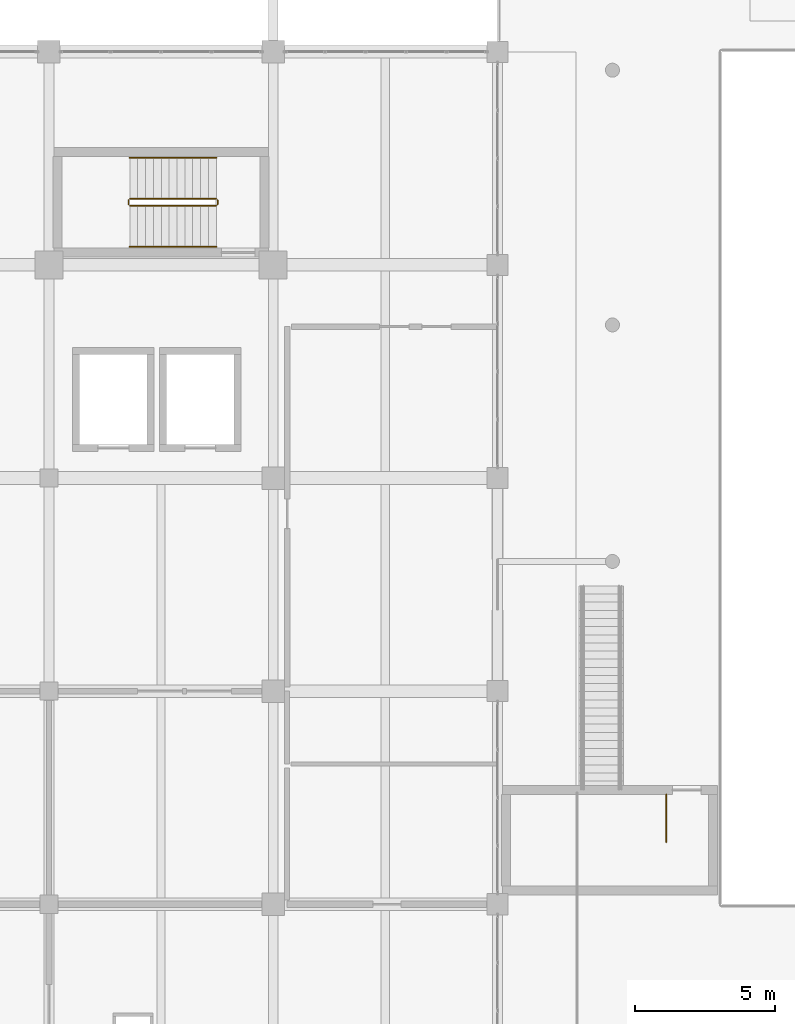
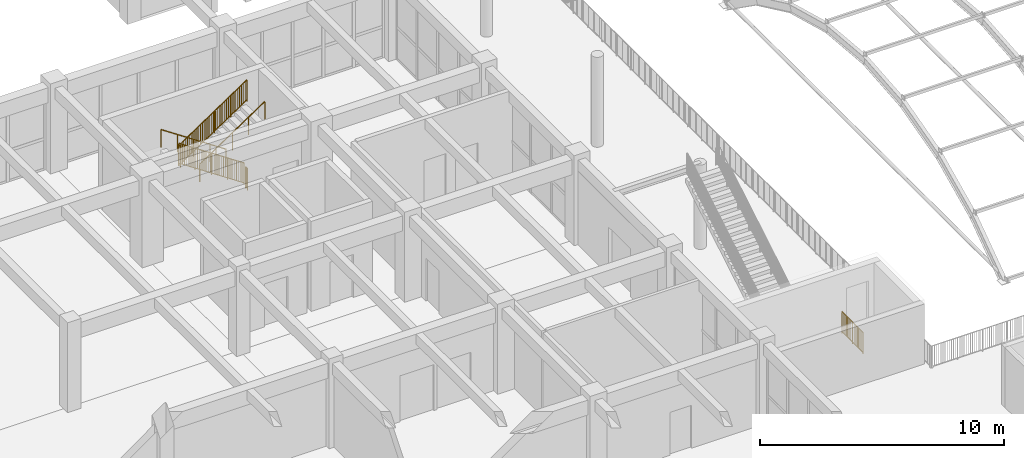
# One storey, part 73 of 79: 7 railings.
"""IFC4 building model written with IfcOpenShell, lengths in metres."""

from ifc_helpers import new_model, si_unit, direction, frame, origin, origin_2d, place, context, subcontext, project, spatial, rectangle, circle, extrude, material, type_object, element, save


model = new_model("IFC4")

# Units and contexts
model_context = context("Model", 3, precision=1e-05, world=origin(), true_north=direction((0.0, 1.0)))
body_context = subcontext(model_context, "Body", "Model", "MODEL_VIEW")
ifc_project = project(units=[si_unit("LENGTHUNIT", "METRE"), si_unit("AREAUNIT", "SQUARE_METRE"), si_unit("VOLUMEUNIT", "CUBIC_METRE"), si_unit("PLANEANGLEUNIT", "RADIAN"), si_unit("MASSUNIT", "GRAM", prefix="KILO")], contexts=[model_context])

# Site, building, storey
site_placement = place(None, origin())
site = spatial("IfcSite", under=ifc_project, at=site_placement, CompositionType="ELEMENT")
building_placement = place(site_placement, origin())
building = spatial("IfcBuilding", under=site, at=building_placement, Name="Zantavel Square City Hall", CompositionType="ELEMENT")
storey_placement = place(building_placement, frame((0.0, 0.0, 10.199951171875)))
storey = spatial("IfcBuildingStorey", under=building, at=storey_placement, Name="L03", CompositionType="ELEMENT", Elevation=10.199951171875)

# Railings
ifc_material_1 = material(Name="Steel ASTM A500 Grade B", Category="steel")
railing_type_1 = type_object("IfcRailingType", Name="Atrium & Gallery Steel Guard Railing 1100mm", PredefinedType="GUARDRAIL", material=ifc_material_1)
railing_1_placement = place(storey_placement, frame((118.02001953125, 41.919921875, 0.0)))
element("IfcRailing", 1, at=railing_1_placement, inside=storey, type_object=railing_type_1, Name="L03 ST4 top well guard 1", PredefinedType="GUARDRAIL", context=body_context, shape_type="SweptSolid", body=[
    extrude(circle(Radius=0.02392578125, at=origin_2d()), frame((0.0, 0.0, 1.076171875), z_axis=(0.0, -1.0, 0.0), x_axis=(1.0, 0.0, 0.0)), (0.0, 0.0, 1.0), 1.7099609375),
    extrude(rectangle(XDim=0.031982421875, YDim=0.031982421875, at=origin_2d()), frame((0.0, 0.0, 0.080078125), z_axis=(0.0, -1.0, 0.0), x_axis=(1.0, 0.0, 0.0)), (0.0, 0.0, 1.0), 1.7099609375),
    extrude(rectangle(XDim=0.02197265625, YDim=0.02197265625, at=origin_2d()), frame((0.0, -0.090087890625, 0.080078125)), (0.0, 0.0, 1.0), 0.971923828125),
    extrude(rectangle(XDim=0.02197265625, YDim=0.02197265625, at=origin_2d()), frame((0.0, -0.179931640625, 0.080078125)), (0.0, 0.0, 1.0), 0.971923828125),
    extrude(rectangle(XDim=0.02197265625, YDim=0.02197265625, at=origin_2d()), frame((0.0, -0.27001953125, 0.080078125)), (0.0, 0.0, 1.0), 0.971923828125),
    extrude(rectangle(XDim=0.02197265625, YDim=0.02197265625, at=origin_2d()), frame((0.0, -0.360107421875, 0.080078125)), (0.0, 0.0, 1.0), 0.971923828125),
    extrude(rectangle(XDim=0.02197265625, YDim=0.02197265625, at=origin_2d()), frame((0.0, -0.449951171875, 0.080078125)), (0.0, 0.0, 1.0), 0.971923828125),
    extrude(rectangle(XDim=0.02197265625, YDim=0.02197265625, at=origin_2d()), frame((0.0, -0.5400390625, 0.080078125)), (0.0, 0.0, 1.0), 0.971923828125),
    extrude(rectangle(XDim=0.02197265625, YDim=0.02197265625, at=origin_2d()), frame((0.0, -0.6298828125, 0.080078125)), (0.0, 0.0, 1.0), 0.971923828125),
    extrude(rectangle(XDim=0.02197265625, YDim=0.02197265625, at=origin_2d()), frame((0.0, -0.719970703125, 0.080078125)), (0.0, 0.0, 1.0), 0.971923828125),
    extrude(rectangle(XDim=0.02197265625, YDim=0.02197265625, at=origin_2d()), frame((0.0, -0.989990234375, 0.080078125)), (0.0, 0.0, 1.0), 0.971923828125),
    extrude(rectangle(XDim=0.02197265625, YDim=0.02197265625, at=origin_2d()), frame((0.0, -1.080078125, 0.080078125)), (0.0, 0.0, 1.0), 0.971923828125),
    extrude(rectangle(XDim=0.02197265625, YDim=0.02197265625, at=origin_2d()), frame((0.0, -1.169921875, 0.080078125)), (0.0, 0.0, 1.0), 0.971923828125),
    extrude(rectangle(XDim=0.02197265625, YDim=0.02197265625, at=origin_2d()), frame((0.0, -1.260009765625, 0.080078125)), (0.0, 0.0, 1.0), 0.971923828125),
    extrude(rectangle(XDim=0.02197265625, YDim=0.02197265625, at=origin_2d()), frame((0.0, -1.349853515625, 0.080078125)), (0.0, 0.0, 1.0), 0.971923828125),
    extrude(rectangle(XDim=0.02197265625, YDim=0.02197265625, at=origin_2d()), frame((0.0, -1.43994140625, 0.080078125)), (0.0, 0.0, 1.0), 0.971923828125),
    extrude(rectangle(XDim=0.02197265625, YDim=0.02197265625, at=origin_2d()), frame((0.0, -1.530029296875, 0.080078125)), (0.0, 0.0, 1.0), 0.971923828125),
    extrude(rectangle(XDim=0.02197265625, YDim=0.02197265625, at=origin_2d()), frame((0.0, -1.619873046875, 0.080078125)), (0.0, 0.0, 1.0), 0.971923828125),
    extrude(circle(Radius=0.02099609375, at=origin_2d()), origin(), (0.0, 0.0, 1.0), 1.052001953125),
    extrude(circle(Radius=0.02099609375, at=origin_2d()), frame((0.0, -0.85498046875, 0.0)), (0.0, 0.0, 1.0), 1.052001953125),
    extrude(circle(Radius=0.02099609375, at=origin_2d()), frame((0.0, -1.7099609375, 0.0)), (0.0, 0.0, 1.0), 1.052001953125),
])
railing_2_placement = place(storey_placement, frame((101.969970703125, 63.159912109375, 0.1875)))
element("IfcRailing", 2, at=railing_2_placement, inside=storey, type_object=railing_type_1, Name="L03 ST6 stair guard 1", PredefinedType="GUARDRAIL", context=body_context, shape_type="SweptSolid", body=[
    extrude(circle(Radius=0.02392578125, at=origin_2d()), frame((0.0, 0.0, 1.076171875), z_axis=(-0.830913701846, 0.0, 0.55640131208), x_axis=(0.0, -1.0, 0.0)), (0.0, 0.0, 1.0), 3.706787109375),
    extrude(rectangle(XDim=0.031982421875, YDim=0.031982421875, at=origin_2d()), frame((0.0, 0.0, 0.080078125), z_axis=(-0.830913701846, 0.0, 0.55640131208), x_axis=(0.0, -1.0, 0.0)), (0.0, 0.0, 1.0), 3.706787109375),
    extrude(rectangle(XDim=0.02197265625, YDim=0.02197265625, at=origin_2d()), frame((-0.087890625, 0.0, 0.138916015625)), (0.0, 0.0, 1.0), 0.971923828125),
    extrude(rectangle(XDim=0.02197265625, YDim=0.02197265625, at=origin_2d()), frame((-0.176025390625, 0.0, 0.19775390625)), (0.0, 0.0, 1.0), 0.971923828125),
    extrude(rectangle(XDim=0.02197265625, YDim=0.02197265625, at=origin_2d()), frame((-0.263916015625, 0.0, 0.2568359375)), (0.0, 0.0, 1.0), 0.971923828125),
    extrude(rectangle(XDim=0.02197265625, YDim=0.02197265625, at=origin_2d()), frame((-0.35205078125, 0.0, 0.315673828125)), (0.0, 0.0, 1.0), 0.971923828125),
    extrude(rectangle(XDim=0.02197265625, YDim=0.02197265625, at=origin_2d()), frame((-0.43994140625, 0.0, 0.374755859375)), (0.0, 0.0, 1.0), 0.971923828125),
    extrude(rectangle(XDim=0.02197265625, YDim=0.02197265625, at=origin_2d()), frame((-0.528076171875, 0.0, 0.43359375)), (0.0, 0.0, 1.0), 0.971923828125),
    extrude(rectangle(XDim=0.02197265625, YDim=0.02197265625, at=origin_2d()), frame((-0.615966796875, 0.0, 0.492431640625)), (0.0, 0.0, 1.0), 0.971923828125),
    extrude(rectangle(XDim=0.02197265625, YDim=0.02197265625, at=origin_2d()), frame((-0.7041015625, 0.0, 0.551513671875)), (0.0, 0.0, 1.0), 0.971923828125),
    extrude(rectangle(XDim=0.02197265625, YDim=0.02197265625, at=origin_2d()), frame((-0.880126953125, 0.0, 0.669189453125)), (0.0, 0.0, 1.0), 0.971923828125),
    extrude(rectangle(XDim=0.02197265625, YDim=0.02197265625, at=origin_2d()), frame((-0.968017578125, 0.0, 0.728271484375)), (0.0, 0.0, 1.0), 0.971923828125),
    extrude(rectangle(XDim=0.02197265625, YDim=0.02197265625, at=origin_2d()), frame((-1.055908203125, 0.0, 0.787109375)), (0.0, 0.0, 1.0), 0.971923828125),
    extrude(rectangle(XDim=0.02197265625, YDim=0.02197265625, at=origin_2d()), frame((-1.14404296875, 0.0, 0.84619140625)), (0.0, 0.0, 1.0), 0.971923828125),
    extrude(rectangle(XDim=0.02197265625, YDim=0.02197265625, at=origin_2d()), frame((-1.23193359375, 0.0, 0.905029296875)), (0.0, 0.0, 1.0), 0.971923828125),
    extrude(rectangle(XDim=0.02197265625, YDim=0.02197265625, at=origin_2d()), frame((-1.320068359375, 0.0, 0.9638671875)), (0.0, 0.0, 1.0), 0.971923828125),
    extrude(rectangle(XDim=0.02197265625, YDim=0.02197265625, at=origin_2d()), frame((-1.407958984375, 0.0, 1.02294921875)), (0.0, 0.0, 1.0), 0.971923828125),
    extrude(rectangle(XDim=0.02197265625, YDim=0.02197265625, at=origin_2d()), frame((-1.49609375, 0.0, 1.081787109375)), (0.0, 0.0, 1.0), 0.971923828125),
    extrude(rectangle(XDim=0.02197265625, YDim=0.02197265625, at=origin_2d()), frame((-1.583984375, 0.0, 1.140625)), (0.0, 0.0, 1.0), 0.971923828125),
    extrude(rectangle(XDim=0.02197265625, YDim=0.02197265625, at=origin_2d()), frame((-1.672119140625, 0.0, 1.19970703125)), (0.0, 0.0, 1.0), 0.971923828125),
    extrude(rectangle(XDim=0.02197265625, YDim=0.02197265625, at=origin_2d()), frame((-1.760009765625, 0.0, 1.258544921875)), (0.0, 0.0, 1.0), 0.971923828125),
    extrude(rectangle(XDim=0.02197265625, YDim=0.02197265625, at=origin_2d()), frame((-1.84814453125, 0.0, 1.3173828125)), (0.0, 0.0, 1.0), 0.971923828125),
    extrude(rectangle(XDim=0.02197265625, YDim=0.02197265625, at=origin_2d()), frame((-1.93603515625, 0.0, 1.37646484375)), (0.0, 0.0, 1.0), 0.971923828125),
    extrude(rectangle(XDim=0.02197265625, YDim=0.02197265625, at=origin_2d()), frame((-2.024169921875, 0.0, 1.435302734375)), (0.0, 0.0, 1.0), 0.971923828125),
    extrude(rectangle(XDim=0.02197265625, YDim=0.02197265625, at=origin_2d()), frame((-2.112060546875, 0.0, 1.494384765625)), (0.0, 0.0, 1.0), 0.971923828125),
    extrude(rectangle(XDim=0.02197265625, YDim=0.02197265625, at=origin_2d()), frame((-2.199951171875, 0.0, 1.55322265625)), (0.0, 0.0, 1.0), 0.971923828125),
    extrude(rectangle(XDim=0.02197265625, YDim=0.02197265625, at=origin_2d()), frame((-2.3759765625, 0.0, 1.671142578125)), (0.0, 0.0, 1.0), 0.971923828125),
    extrude(rectangle(XDim=0.02197265625, YDim=0.02197265625, at=origin_2d()), frame((-2.464111328125, 0.0, 1.72998046875)), (0.0, 0.0, 1.0), 0.971923828125),
    extrude(rectangle(XDim=0.02197265625, YDim=0.02197265625, at=origin_2d()), frame((-2.552001953125, 0.0, 1.788818359375)), (0.0, 0.0, 1.0), 0.971923828125),
    extrude(rectangle(XDim=0.02197265625, YDim=0.02197265625, at=origin_2d()), frame((-2.64013671875, 0.0, 1.847900390625)), (0.0, 0.0, 1.0), 0.971923828125),
    extrude(rectangle(XDim=0.02197265625, YDim=0.02197265625, at=origin_2d()), frame((-2.72802734375, 0.0, 1.90673828125)), (0.0, 0.0, 1.0), 0.971923828125),
    extrude(rectangle(XDim=0.02197265625, YDim=0.02197265625, at=origin_2d()), frame((-2.816162109375, 0.0, 1.9658203125)), (0.0, 0.0, 1.0), 0.971923828125),
    extrude(rectangle(XDim=0.02197265625, YDim=0.02197265625, at=origin_2d()), frame((-2.904052734375, 0.0, 2.024658203125)), (0.0, 0.0, 1.0), 0.971923828125),
    extrude(rectangle(XDim=0.02197265625, YDim=0.02197265625, at=origin_2d()), frame((-2.9921875, 0.0, 2.08349609375)), (0.0, 0.0, 1.0), 0.971923828125),
    extrude(circle(Radius=0.02099609375, at=origin_2d()), origin(), (0.0, 0.0, 1.0), 1.052001953125),
    extrude(circle(Radius=0.02099609375, at=origin_2d()), frame((-0.77001953125, 0.0, 0.515625)), (0.0, 0.0, 1.0), 1.052001953125),
    extrude(circle(Radius=0.02099609375, at=origin_2d()), frame((-1.5400390625, 0.0, 1.03125)), (0.0, 0.0, 1.0), 1.052001953125),
    extrude(circle(Radius=0.02099609375, at=origin_2d()), frame((-2.31005859375, 0.0, 1.546875)), (0.0, 0.0, 1.0), 1.052001953125),
    extrude(circle(Radius=0.02099609375, at=origin_2d()), frame((-3.080078125, 0.0, 2.0625)), (0.0, 0.0, 1.0), 1.052001953125),
])
railing_3_placement = place(storey_placement, frame((98.840087890625, 63.110107421875, 2.25)))
element("IfcRailing", 3, at=railing_3_placement, inside=storey, type_object=railing_type_1, Name="L03 ST6 stair guard 2", PredefinedType="GUARDRAIL", context=body_context, shape_type="SweptSolid", body=[
    extrude(circle(Radius=0.02392578125, at=origin_2d()), frame((0.0, 0.0, 1.076171875), z_axis=(0.0, -1.0, 0.0), x_axis=(1.0, 0.0, 0.0)), (0.0, 0.0, 1.0), 0.150146484375),
    extrude(rectangle(XDim=0.031982421875, YDim=0.031982421875, at=origin_2d()), frame((0.0, 0.0, 0.080078125), z_axis=(0.0, -1.0, 0.0), x_axis=(1.0, 0.0, 0.0)), (0.0, 0.0, 1.0), 0.150146484375),
    extrude(rectangle(XDim=0.02197265625, YDim=0.02197265625, at=origin_2d()), frame((0.0, -0.0751953125, 0.080078125)), (0.0, 0.0, 1.0), 0.971923828125),
    extrude(circle(Radius=0.02099609375, at=origin_2d()), origin(), (0.0, 0.0, 1.0), 1.052001953125),
    extrude(circle(Radius=0.02099609375, at=origin_2d()), frame((0.0, -0.150146484375, 0.0)), (0.0, 0.0, 1.0), 1.052001953125),
])
railing_4_placement = place(storey_placement, frame((98.889892578125, 62.909912109375, 2.4375)))
element("IfcRailing", 4, at=railing_4_placement, inside=storey, type_object=railing_type_1, Name="L03 ST6 stair guard 3", PredefinedType="GUARDRAIL", context=body_context, shape_type="SweptSolid", body=[
    extrude(circle(Radius=0.02392578125, at=origin_2d()), frame((0.0, 0.0, 1.076171875), z_axis=(0.830913701846, 0.0, 0.55640131208), x_axis=(0.0, 1.0, 0.0)), (0.0, 0.0, 1.0), 3.706787109375),
    extrude(rectangle(XDim=0.031982421875, YDim=0.031982421875, at=origin_2d()), frame((0.0, 0.0, 0.080078125), z_axis=(0.830913701846, 0.0, 0.55640131208), x_axis=(0.0, 1.0, 0.0)), (0.0, 0.0, 1.0), 3.706787109375),
    extrude(rectangle(XDim=0.02197265625, YDim=0.02197265625, at=origin_2d()), frame((0.087890625, 0.0, 0.138916015625)), (0.0, 0.0, 1.0), 0.971923828125),
    extrude(rectangle(XDim=0.02197265625, YDim=0.02197265625, at=origin_2d()), frame((0.176025390625, 0.0, 0.19775390625)), (0.0, 0.0, 1.0), 0.971923828125),
    extrude(rectangle(XDim=0.02197265625, YDim=0.02197265625, at=origin_2d()), frame((0.263916015625, 0.0, 0.2568359375)), (0.0, 0.0, 1.0), 0.971923828125),
    extrude(rectangle(XDim=0.02197265625, YDim=0.02197265625, at=origin_2d()), frame((0.35205078125, 0.0, 0.315673828125)), (0.0, 0.0, 1.0), 0.971923828125),
    extrude(rectangle(XDim=0.02197265625, YDim=0.02197265625, at=origin_2d()), frame((0.43994140625, 0.0, 0.374755859375)), (0.0, 0.0, 1.0), 0.971923828125),
    extrude(rectangle(XDim=0.02197265625, YDim=0.02197265625, at=origin_2d()), frame((0.528076171875, 0.0, 0.43359375)), (0.0, 0.0, 1.0), 0.971923828125),
    extrude(rectangle(XDim=0.02197265625, YDim=0.02197265625, at=origin_2d()), frame((0.615966796875, 0.0, 0.492431640625)), (0.0, 0.0, 1.0), 0.971923828125),
    extrude(rectangle(XDim=0.02197265625, YDim=0.02197265625, at=origin_2d()), frame((0.7041015625, 0.0, 0.551513671875)), (0.0, 0.0, 1.0), 0.971923828125),
    extrude(rectangle(XDim=0.02197265625, YDim=0.02197265625, at=origin_2d()), frame((0.880126953125, 0.0, 0.669189453125)), (0.0, 0.0, 1.0), 0.971923828125),
    extrude(rectangle(XDim=0.02197265625, YDim=0.02197265625, at=origin_2d()), frame((0.968017578125, 0.0, 0.728271484375)), (0.0, 0.0, 1.0), 0.971923828125),
    extrude(rectangle(XDim=0.02197265625, YDim=0.02197265625, at=origin_2d()), frame((1.055908203125, 0.0, 0.787109375)), (0.0, 0.0, 1.0), 0.971923828125),
    extrude(rectangle(XDim=0.02197265625, YDim=0.02197265625, at=origin_2d()), frame((1.14404296875, 0.0, 0.84619140625)), (0.0, 0.0, 1.0), 0.971923828125),
    extrude(rectangle(XDim=0.02197265625, YDim=0.02197265625, at=origin_2d()), frame((1.23193359375, 0.0, 0.905029296875)), (0.0, 0.0, 1.0), 0.971923828125),
    extrude(rectangle(XDim=0.02197265625, YDim=0.02197265625, at=origin_2d()), frame((1.320068359375, 0.0, 0.9638671875)), (0.0, 0.0, 1.0), 0.971923828125),
    extrude(rectangle(XDim=0.02197265625, YDim=0.02197265625, at=origin_2d()), frame((1.407958984375, 0.0, 1.02294921875)), (0.0, 0.0, 1.0), 0.971923828125),
    extrude(rectangle(XDim=0.02197265625, YDim=0.02197265625, at=origin_2d()), frame((1.49609375, 0.0, 1.081787109375)), (0.0, 0.0, 1.0), 0.971923828125),
    extrude(rectangle(XDim=0.02197265625, YDim=0.02197265625, at=origin_2d()), frame((1.583984375, 0.0, 1.140625)), (0.0, 0.0, 1.0), 0.971923828125),
    extrude(rectangle(XDim=0.02197265625, YDim=0.02197265625, at=origin_2d()), frame((1.672119140625, 0.0, 1.19970703125)), (0.0, 0.0, 1.0), 0.971923828125),
    extrude(rectangle(XDim=0.02197265625, YDim=0.02197265625, at=origin_2d()), frame((1.760009765625, 0.0, 1.258544921875)), (0.0, 0.0, 1.0), 0.971923828125),
    extrude(rectangle(XDim=0.02197265625, YDim=0.02197265625, at=origin_2d()), frame((1.84814453125, 0.0, 1.3173828125)), (0.0, 0.0, 1.0), 0.971923828125),
    extrude(rectangle(XDim=0.02197265625, YDim=0.02197265625, at=origin_2d()), frame((1.93603515625, 0.0, 1.37646484375)), (0.0, 0.0, 1.0), 0.971923828125),
    extrude(rectangle(XDim=0.02197265625, YDim=0.02197265625, at=origin_2d()), frame((2.024169921875, 0.0, 1.435302734375)), (0.0, 0.0, 1.0), 0.971923828125),
    extrude(rectangle(XDim=0.02197265625, YDim=0.02197265625, at=origin_2d()), frame((2.112060546875, 0.0, 1.494384765625)), (0.0, 0.0, 1.0), 0.971923828125),
    extrude(rectangle(XDim=0.02197265625, YDim=0.02197265625, at=origin_2d()), frame((2.199951171875, 0.0, 1.55322265625)), (0.0, 0.0, 1.0), 0.971923828125),
    extrude(rectangle(XDim=0.02197265625, YDim=0.02197265625, at=origin_2d()), frame((2.3759765625, 0.0, 1.671142578125)), (0.0, 0.0, 1.0), 0.971923828125),
    extrude(rectangle(XDim=0.02197265625, YDim=0.02197265625, at=origin_2d()), frame((2.464111328125, 0.0, 1.72998046875)), (0.0, 0.0, 1.0), 0.971923828125),
    extrude(rectangle(XDim=0.02197265625, YDim=0.02197265625, at=origin_2d()), frame((2.552001953125, 0.0, 1.788818359375)), (0.0, 0.0, 1.0), 0.971923828125),
    extrude(rectangle(XDim=0.02197265625, YDim=0.02197265625, at=origin_2d()), frame((2.64013671875, 0.0, 1.847900390625)), (0.0, 0.0, 1.0), 0.971923828125),
    extrude(rectangle(XDim=0.02197265625, YDim=0.02197265625, at=origin_2d()), frame((2.72802734375, 0.0, 1.90673828125)), (0.0, 0.0, 1.0), 0.971923828125),
    extrude(rectangle(XDim=0.02197265625, YDim=0.02197265625, at=origin_2d()), frame((2.816162109375, 0.0, 1.9658203125)), (0.0, 0.0, 1.0), 0.971923828125),
    extrude(rectangle(XDim=0.02197265625, YDim=0.02197265625, at=origin_2d()), frame((2.904052734375, 0.0, 2.024658203125)), (0.0, 0.0, 1.0), 0.971923828125),
    extrude(rectangle(XDim=0.02197265625, YDim=0.02197265625, at=origin_2d()), frame((2.9921875, 0.0, 2.08349609375)), (0.0, 0.0, 1.0), 0.971923828125),
    extrude(circle(Radius=0.02099609375, at=origin_2d()), origin(), (0.0, 0.0, 1.0), 1.052001953125),
    extrude(circle(Radius=0.02099609375, at=origin_2d()), frame((0.77001953125, 0.0, 0.515625)), (0.0, 0.0, 1.0), 1.052001953125),
    extrude(circle(Radius=0.02099609375, at=origin_2d()), frame((1.5400390625, 0.0, 1.03125)), (0.0, 0.0, 1.0), 1.052001953125),
    extrude(circle(Radius=0.02099609375, at=origin_2d()), frame((2.31005859375, 0.0, 1.546875)), (0.0, 0.0, 1.0), 1.052001953125),
    extrude(circle(Radius=0.02099609375, at=origin_2d()), frame((3.080078125, 0.0, 2.0625)), (0.0, 0.0, 1.0), 1.052001953125),
])
railing_5_placement = place(storey_placement, frame((102.02001953125, 63.110107421875, 0.0)))
element("IfcRailing", 5, at=railing_5_placement, inside=storey, type_object=railing_type_1, Name="L03 ST6 stair guard 4", PredefinedType="GUARDRAIL", context=body_context, shape_type="SweptSolid", body=[
    extrude(circle(Radius=0.02392578125, at=origin_2d()), frame((0.0, 0.0, 1.076171875), z_axis=(0.0, -1.0, 0.0), x_axis=(1.0, 0.0, 0.0)), (0.0, 0.0, 1.0), 0.150146484375),
    extrude(rectangle(XDim=0.031982421875, YDim=0.031982421875, at=origin_2d()), frame((0.0, 0.0, 0.080078125), z_axis=(0.0, -1.0, 0.0), x_axis=(1.0, 0.0, 0.0)), (0.0, 0.0, 1.0), 0.150146484375),
    extrude(rectangle(XDim=0.02197265625, YDim=0.02197265625, at=origin_2d()), frame((0.0, -0.0751953125, 0.080078125)), (0.0, 0.0, 1.0), 0.971923828125),
    extrude(circle(Radius=0.02099609375, at=origin_2d()), origin(), (0.0, 0.0, 1.0), 1.052001953125),
    extrude(circle(Radius=0.02099609375, at=origin_2d()), frame((0.0, -0.150146484375, 0.0)), (0.0, 0.0, 1.0), 1.052001953125),
])
ifc_material_2 = material(Name="Stainless steel 316", Category="steel")
railing_type_2 = type_object("IfcRailingType", Name="Stair Stainless Steel Handrail 900mm", PredefinedType="HANDRAIL", material=ifc_material_2)
railing_6_placement = place(storey_placement, frame((101.969970703125, 64.6201171875, 0.1875)))
element("IfcRailing", 6, at=railing_6_placement, inside=storey, type_object=railing_type_2, Name="L03 ST6 stair handrail 1", PredefinedType="HANDRAIL", context=body_context, shape_type="SweptSolid", body=[
    extrude(circle(Radius=0.02392578125, at=origin_2d()), frame((0.0, 0.0, 0.8759765625), z_axis=(-0.830913701846, 0.0, 0.55640131208), x_axis=(0.0, -1.0, 0.0)), (0.0, 0.0, 1.0), 3.706787109375),
    extrude(circle(Radius=0.02099609375, at=origin_2d()), origin(), (0.0, 0.0, 1.0), 0.851806640625),
    extrude(circle(Radius=0.02099609375, at=origin_2d()), frame((-0.77001953125, 0.0, 0.515625)), (0.0, 0.0, 1.0), 0.851806640625),
    extrude(circle(Radius=0.02099609375, at=origin_2d()), frame((-1.5400390625, 0.0, 1.03125)), (0.0, 0.0, 1.0), 0.851806640625),
    extrude(circle(Radius=0.02099609375, at=origin_2d()), frame((-2.31005859375, 0.0, 1.546875)), (0.0, 0.0, 1.0), 0.851806640625),
    extrude(circle(Radius=0.02099609375, at=origin_2d()), frame((-3.080078125, 0.0, 2.0625)), (0.0, 0.0, 1.0), 0.851806640625),
])
railing_7_placement = place(storey_placement, frame((98.889892578125, 61.449951171875, 2.4375)))
element("IfcRailing", 7, at=railing_7_placement, inside=storey, type_object=railing_type_2, Name="L03 ST6 stair handrail 2", PredefinedType="HANDRAIL", context=body_context, shape_type="SweptSolid", body=[
    extrude(circle(Radius=0.02392578125, at=origin_2d()), frame((0.0, 0.0, 0.8759765625), z_axis=(0.830913701846, 0.0, 0.55640131208), x_axis=(0.0, 1.0, 0.0)), (0.0, 0.0, 1.0), 3.706787109375),
    extrude(circle(Radius=0.02099609375, at=origin_2d()), origin(), (0.0, 0.0, 1.0), 0.851806640625),
    extrude(circle(Radius=0.02099609375, at=origin_2d()), frame((0.77001953125, 0.0, 0.515625)), (0.0, 0.0, 1.0), 0.851806640625),
    extrude(circle(Radius=0.02099609375, at=origin_2d()), frame((1.5400390625, 0.0, 1.03125)), (0.0, 0.0, 1.0), 0.851806640625),
    extrude(circle(Radius=0.02099609375, at=origin_2d()), frame((2.31005859375, 0.0, 1.546875)), (0.0, 0.0, 1.0), 0.851806640625),
    extrude(circle(Radius=0.02099609375, at=origin_2d()), frame((3.080078125, 0.0, 2.0625)), (0.0, 0.0, 1.0), 0.851806640625),
])

save(model, "model.ifc")
